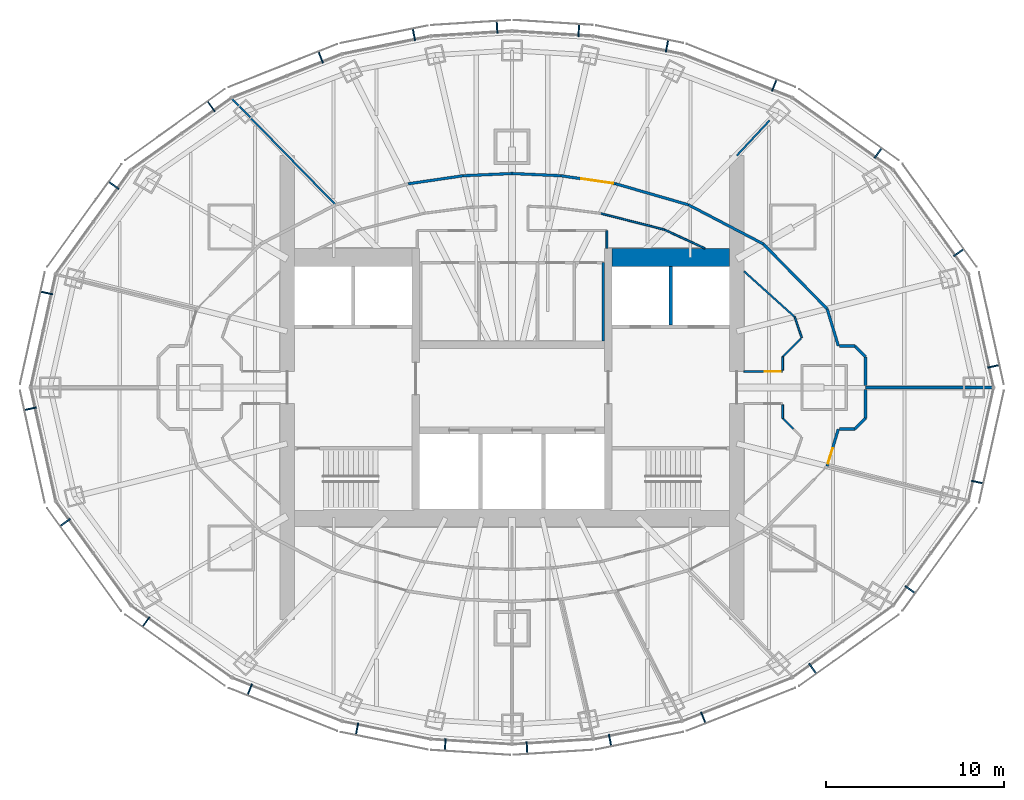
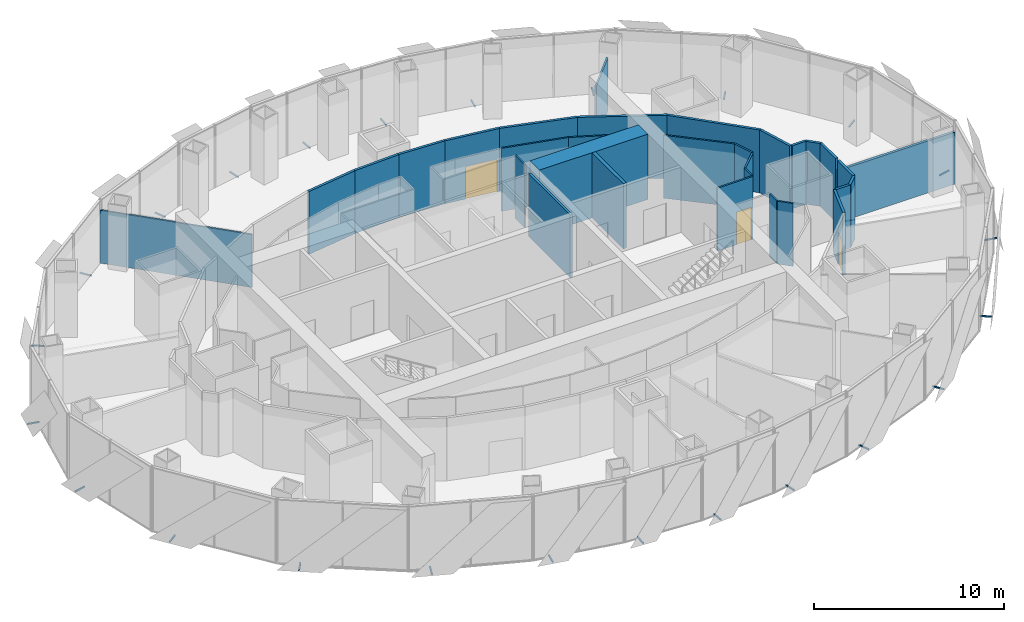
# One storey, part 14 of 17: 31 walls, 24 discrete accessories, 3 doors, 3 openings.
"""IFC4 building model written with IfcOpenShell, lengths in metres."""

from ifc_helpers import new_model, si_unit, direction, frame, frame_2d, origin, origin_2d, place, context, subcontext, project, spatial, rectangle, extrude, material, layer, layer_set, type_object, element, fill, save


model = new_model("IFC4")

# Units and contexts
model_context = context("Model", 3, precision=1e-05, world=origin(), true_north=direction((0.0, 1.0)))
body_context = subcontext(model_context, "Body", "Model", "MODEL_VIEW")
ifc_project = project(units=[si_unit("LENGTHUNIT", "METRE"), si_unit("AREAUNIT", "SQUARE_METRE"), si_unit("VOLUMEUNIT", "CUBIC_METRE"), si_unit("PLANEANGLEUNIT", "RADIAN"), si_unit("MASSUNIT", "GRAM", prefix="KILO")], contexts=[model_context])

# Site, building, storey
site_placement = place(None, origin())
site = spatial("IfcSite", under=ifc_project, at=site_placement, CompositionType="ELEMENT")
building_placement = place(site_placement, origin())
building = spatial("IfcBuilding", under=site, at=building_placement, Name="Lantaw Convention Tower", CompositionType="ELEMENT")
storey_placement = place(building_placement, frame((0.0, 0.0, 224.199951171875)))
storey = spatial("IfcBuildingStorey", under=building, at=storey_placement, Name="L52", CompositionType="ELEMENT", Elevation=224.199951171875)

# Walls
ifc_material_1 = material(Name="Concrete C60/75", Category="concrete")
ifc_layer_1 = layer(ifc_material_1, 1.0)
ifc_layer_set_1 = layer_set([ifc_layer_1], Name="Core wall 1000")
wall_type_1 = type_object("IfcWallType", Name="Core wall 1000", PredefinedType="SHEAR", material=ifc_layer_set_1)
wall_1_placement = place(storey_placement, frame((12.199951171875, 7.300048828125, 0.0), z_axis=(0.0, 0.0, 1.0), x_axis=(-1.0, 0.0, 0.0)))
element("IfcWall", 1, at=wall_1_placement, inside=storey, type_object=wall_type_1, Name="Core wall NE", PredefinedType="SHEAR", context=body_context, shape_type="SweptSolid", body=[
    extrude(rectangle(XDim=6.599853515625, YDim=1.0, at=frame_2d((3.2998046875, 0.0))), origin(), (0.0, 0.0, 1.0), 4.199951171875),
])
ifc_material_2 = material(Name="Gypsum board on steel studs, fire rated", Category="steel")
ifc_layer_2 = layer(ifc_material_2, 0.14990234375)
ifc_layer_set_2 = layer_set([ifc_layer_2], Name="Corridor wall 150 EI 60")
wall_type_2 = type_object("IfcWallType", Name="Corridor wall 150 EI 60", PredefinedType="PARTITIONING", material=ifc_layer_set_2)
wall_2_placement = place(storey_placement, frame((17.6728515625, 4.40625, 0.0), z_axis=(0.0, 0.0, 1.0), x_axis=(-0.701111216625, 0.713051934941, 0.0)))
element("IfcWall", 2, at=wall_2_placement, inside=storey, type_object=wall_type_2, Name="Corridor wall 150", PredefinedType="PARTITIONING", context=body_context, shape_type="SweptSolid", body=[
    extrude(rectangle(XDim=5.111572265625, YDim=0.14990234375, at=frame_2d((2.5556640625, 0.0))), origin(), (0.0, 0.0, 1.0), 4.050048828125),
])
wall_3_placement = place(storey_placement, frame((14.089111328125, 8.051025390625, 0.0), z_axis=(0.0, 0.0, 1.0), x_axis=(-0.886174439647, 0.463351769735, 0.0)))
element("IfcWall", 3, at=wall_3_placement, inside=storey, type_object=wall_type_2, Name="Corridor wall 150", PredefinedType="PARTITIONING", context=body_context, shape_type="SweptSolid", body=[
    extrude(rectangle(XDim=4.734619140625, YDim=0.14990234375, at=frame_2d((2.3671875, 0.0))), origin(), (0.0, 0.0, 1.0), 4.050048828125),
])
wall_4_placement = place(storey_placement, frame((9.893310546875, 10.244873046875, 0.0), z_axis=(0.0, 0.0, 1.0), x_axis=(-0.960614838378, 0.27788330696, 0.0)))
element("IfcWall", 4, at=wall_4_placement, inside=storey, type_object=wall_type_2, Name="Corridor wall 150", PredefinedType="PARTITIONING", context=body_context, shape_type="SweptSolid", body=[
    extrude(rectangle(XDim=4.239990234375, YDim=0.14990234375, at=frame_2d((2.1201171875, 0.0))), origin(), (0.0, 0.0, 1.0), 4.050048828125),
])

# Wall, opening, door
wall_5_placement = place(storey_placement, frame((5.8203125, 11.423095703125, 0.0), z_axis=(0.0, 0.0, 1.0), x_axis=(-0.989421822189, 0.145067080265, 0.0)))
wall_5 = element("IfcWall", 5, at=wall_5_placement, inside=storey, type_object=wall_type_2, Name="Corridor wall 150", PredefinedType="PARTITIONING", context=body_context, shape_type="SweptSolid", body=[
    extrude(rectangle(XDim=3.11181640625, YDim=0.14990234375, at=frame_2d((1.555908203125, 0.0))), origin(), (0.0, 0.0, 1.0), 4.050048828125),
])
opening_1_placement = place(wall_5_placement, frame((0.14990234375, 0.0, 0.0)))
opening_1 = element("IfcOpeningElement", 6, at=opening_1_placement, cuts=wall_5, Name="Opening L52.26", PredefinedType="OPENING", context=body_context, shape_type="SweptSolid", body=[
    extrude(rectangle(XDim=1.800048828125, YDim=2.10009765625, at=frame_2d((0.89990234375, 1.050048828125))), frame((0.0, 0.0849609375, 0.0), z_axis=(0.0, -1.0, 0.0), x_axis=(1.0, 0.0, 0.0)), (0.0, 0.0, 1.0), 0.169921875),
])
ifc_material_3 = material(Name="Steel, fire rated", Category="steel")
door_type_1 = type_object("IfcDoorType", Name="Office double door 1800 FD30", OperationType="DOUBLE_DOOR_DOUBLE_SWING", PredefinedType="DOOR", material=ifc_material_3)
door_1_placement = place(opening_1_placement, origin())
door_1 = element("IfcDoor", 7, at=door_1_placement, inside=storey, type_object=door_type_1, Name="Open office door", OperationType="DOUBLE_DOOR_DOUBLE_SWING", OverallHeight=2.10009765625, OverallWidth=1.800048828125, PredefinedType="DOOR", context=body_context, shape_type="SweptSolid", body=[
    extrude(rectangle(XDim=1.800048828125, YDim=2.10009765625, at=frame_2d((0.89990234375, 1.050048828125))), frame((0.0, 0.02490234375, 0.0), z_axis=(0.0, -1.0, 0.0), x_axis=(1.0, 0.0, 0.0)), (0.0, 0.0, 1.0), 0.050048828125),
])
fill(opening_1, door_1)

# Walls
for number, where, z_axis, x_axis, name in (
    (8, (2.741455078125, 11.87451171875, 0.0), (0.0, 0.0, 1.0), (-0.998953998629, 0.045726454297, 0.0), "Corridor wall 150"),
    (9, (0.0, 12.0, 0.0), (0.0, 0.0, 1.0), (-0.998953998629, -0.045726454297, 0.0), "Corridor wall 150"),
):
    element("IfcWall", number, at=place(storey_placement, frame(where, z_axis=z_axis, x_axis=x_axis)), inside=storey, type_object=wall_type_2, Name=name, PredefinedType="PARTITIONING", context=body_context, shape_type="SweptSolid", body=[
        extrude(rectangle(XDim=2.744384765625, YDim=0.14990234375, at=frame_2d((1.3720703125, 0.0))), origin(), (0.0, 0.0, 1.0), 4.050048828125),
    ])
wall_6_placement = place(storey_placement, frame((-2.741455078125, 11.87451171875, 0.0), z_axis=(0.0, 0.0, 1.0), x_axis=(-0.989421822189, -0.145067080265, 0.0)))
element("IfcWall", 10, at=wall_6_placement, inside=storey, type_object=wall_type_2, Name="Corridor wall 150", PredefinedType="PARTITIONING", context=body_context, shape_type="SweptSolid", body=[
    extrude(rectangle(XDim=3.11181640625, YDim=0.14990234375, at=frame_2d((1.555908203125, 0.0))), origin(), (0.0, 0.0, 1.0), 4.050048828125),
])
wall_7_placement = place(storey_placement, frame((18.296630859375, 2.3349609375, 0.0), z_axis=(0.0, 0.0, 1.0), x_axis=(-0.288362447016, 0.957521330912, 0.0)))
element("IfcWall", 11, at=wall_7_placement, inside=storey, type_object=wall_type_2, Name="Corridor wall 150", PredefinedType="PARTITIONING", context=body_context, shape_type="SweptSolid", body=[
    extrude(rectangle(XDim=2.1630859375, YDim=0.14990234375, at=frame_2d((1.08154296875, 0.0))), origin(), (0.0, 0.0, 1.0), 4.050048828125),
])

# Wall, opening, door
wall_8_placement = place(storey_placement, frame((17.6728515625, -4.40625, 0.0), z_axis=(0.0, 0.0, 1.0), x_axis=(0.288362447016, 0.957521330912, 0.0)))
wall_8 = element("IfcWall", 12, at=wall_8_placement, inside=storey, type_object=wall_type_2, Name="Corridor wall 150", PredefinedType="PARTITIONING", context=body_context, shape_type="SweptSolid", body=[
    extrude(rectangle(XDim=2.1630859375, YDim=0.14990234375, at=frame_2d((1.08154296875, 0.0))), origin(), (0.0, 0.0, 1.0), 4.050048828125),
])
opening_2_placement = place(wall_8_placement, frame((0.14990234375, 0.0, 0.0)))
opening_2 = element("IfcOpeningElement", 13, at=opening_2_placement, cuts=wall_8, Name="Opening L52.35", PredefinedType="OPENING", context=body_context, shape_type="SweptSolid", body=[
    extrude(rectangle(XDim=0.89990234375, YDim=2.10009765625, at=frame_2d((0.449951171875, 1.050048828125))), frame((0.0, 0.0849609375, 0.0), z_axis=(0.0, -1.0, 0.0), x_axis=(1.0, 0.0, 0.0)), (0.0, 0.0, 1.0), 0.169921875),
])
door_type_2 = type_object("IfcDoorType", Name="Office door 900 FD30", OperationType="SINGLE_SWING_LEFT", PredefinedType="DOOR", material=ifc_material_3)
door_2_placement = place(opening_2_placement, origin())
door_2 = element("IfcDoor", 14, at=door_2_placement, inside=storey, type_object=door_type_2, Name="Pantry door", OperationType="SINGLE_SWING_LEFT", OverallHeight=2.10009765625, OverallWidth=0.89990234375, PredefinedType="DOOR", context=body_context, shape_type="SweptSolid", body=[
    extrude(rectangle(XDim=0.89990234375, YDim=2.10009765625, at=frame_2d((0.449951171875, 1.050048828125))), frame((0.0, 0.02490234375, 0.0), z_axis=(0.0, -1.0, 0.0), x_axis=(1.0, 0.0, 0.0)), (0.0, 0.0, 1.0), 0.050048828125),
])
fill(opening_2, door_2)

# Walls
wall_9_placement = place(storey_placement, frame((18.367431640625, 2.324951171875, 0.0), z_axis=(0.0, 0.0, 1.0), x_axis=(1.0, 0.0, 0.0)))
element("IfcWall", 15, at=wall_9_placement, inside=storey, type_object=wall_type_2, Name="Corridor wall 150", PredefinedType="PARTITIONING", context=body_context, shape_type="SweptSolid", body=[
    extrude(rectangle(XDim=0.857177734375, YDim=0.14990234375, at=frame_2d((0.4287109375, 0.0))), origin(), (0.0, 0.0, 1.0), 4.050048828125),
])
wall_10_placement = place(storey_placement, frame((19.224609375, 2.324951171875, 0.0), z_axis=(0.0, 0.0, 1.0), x_axis=(0.707106781187, -0.707106781187, 0.0)))
element("IfcWall", 16, at=wall_10_placement, inside=storey, type_object=wall_type_2, Name="Corridor wall 150", PredefinedType="PARTITIONING", context=body_context, shape_type="SweptSolid", body=[
    extrude(rectangle(XDim=0.84912109375, YDim=0.14990234375, at=frame_2d((0.424560546875, 0.0))), origin(), (0.0, 0.0, 1.0), 4.050048828125),
])
for number, where, z_axis, x_axis, name in (
    (17, (19.824951171875, 1.724609375, 0.0), (0.0, 0.0, 1.0), (0.0, -1.0, 0.0), "Corridor wall 150"),
    (18, (19.824951171875, -0.103271484375, 0.0), (0.0, 0.0, 1.0), (0.0, -1.0, 0.0), "Corridor wall 150"),
):
    element("IfcWall", number, at=place(storey_placement, frame(where, z_axis=z_axis, x_axis=x_axis)), inside=storey, type_object=wall_type_2, Name=name, PredefinedType="PARTITIONING", context=body_context, shape_type="SweptSolid", body=[
        extrude(rectangle(XDim=1.621337890625, YDim=0.14990234375, at=frame_2d((0.810546875, 0.0))), origin(), (0.0, 0.0, 1.0), 4.050048828125),
    ])
wall_11_placement = place(storey_placement, frame((19.824951171875, -1.724609375, 0.0), z_axis=(0.0, 0.0, 1.0), x_axis=(-0.707106781187, -0.707106781187, 0.0)))
element("IfcWall", 19, at=wall_11_placement, inside=storey, type_object=wall_type_2, Name="Corridor wall 150", PredefinedType="PARTITIONING", context=body_context, shape_type="SweptSolid", body=[
    extrude(rectangle(XDim=0.84912109375, YDim=0.14990234375, at=frame_2d((0.424560546875, 0.0))), origin(), (0.0, 0.0, 1.0), 4.050048828125),
])
wall_12_placement = place(storey_placement, frame((19.224609375, -2.324951171875, 0.0), z_axis=(0.0, 0.0, 1.0), x_axis=(-1.0, 0.0, 0.0)))
element("IfcWall", 20, at=wall_12_placement, inside=storey, type_object=wall_type_2, Name="Corridor wall 150", PredefinedType="PARTITIONING", context=body_context, shape_type="SweptSolid", body=[
    extrude(rectangle(XDim=0.857177734375, YDim=0.14990234375, at=frame_2d((0.4287109375, 0.0))), origin(), (0.0, 0.0, 1.0), 4.050048828125),
])
ifc_material_4 = material(Name="Gypsum board on steel studs, acoustic", Category="steel")
ifc_layer_3 = layer(ifc_material_4, 0.10009765625)
ifc_layer_set_3 = layer_set([ifc_layer_3], Name="Office partition 100")
wall_type_3 = type_object("IfcWallType", Name="Office partition 100", PredefinedType="PARTITIONING", material=ifc_layer_set_3)
wall_13_placement = place(storey_placement, frame((-15.709228515625, 16.198974609375, 0.0), z_axis=(0.0, 0.0, 1.0), x_axis=(0.69875697861, -0.715359129978, 0.0)))
element("IfcWall", 21, at=wall_13_placement, inside=storey, type_object=wall_type_3, Name="Office partition 100", PredefinedType="PARTITIONING", context=body_context, shape_type="SweptSolid", body=[
    extrude(rectangle(XDim=8.3232421875, YDim=0.10009765625, at=frame_2d((4.16162109375, 0.0))), origin(), (0.0, 0.0, 1.0), 3.409912109375),
])
wall_14_placement = place(storey_placement, frame((13.0, 6.5244140625, 0.0), z_axis=(0.0, 0.0, 1.0), x_axis=(0.743177243228, -0.669094601046, 0.0)))
element("IfcWall", 22, at=wall_14_placement, inside=storey, type_object=wall_type_3, Name="Office partition 100", PredefinedType="PARTITIONING", context=body_context, shape_type="SweptSolid", body=[
    extrude(rectangle(XDim=3.842529296875, YDim=0.10009765625, at=frame_2d((1.92138671875, 0.0))), origin(), (0.0, 0.0, 1.0), 4.050048828125),
])
wall_15_placement = place(storey_placement, frame((5.320068359375, 7.800048828125, 0.0), z_axis=(0.0, 0.0, 1.0), x_axis=(0.0, 1.0, 0.0)))
element("IfcWall", 23, at=wall_15_placement, inside=storey, type_object=wall_type_3, Name="Office partition 100", PredefinedType="PARTITIONING", context=body_context, shape_type="SweptSolid", body=[
    extrude(rectangle(XDim=1.0, YDim=0.10009765625, at=frame_2d((0.5, 0.0))), origin(), (0.0, 0.0, 1.0), 4.050048828125),
])
wall_16_placement = place(storey_placement, frame((4.97509765625, 9.763916015625, 0.0), z_axis=(0.0, 0.0, 1.0), x_axis=(0.968887312542, -0.247502273921, 0.0)))
element("IfcWall", 24, at=wall_16_placement, inside=storey, type_object=wall_type_3, Name="Office partition 100", PredefinedType="PARTITIONING", context=body_context, shape_type="SweptSolid", body=[
    extrude(rectangle(XDim=3.687255859375, YDim=0.10009765625, at=frame_2d((1.84375, 0.0))), origin(), (0.0, 0.0, 1.0), 4.050048828125),
])
wall_17_placement = place(storey_placement, frame((8.547607421875, 8.851318359375, 0.0), z_axis=(0.0, 0.0, 1.0), x_axis=(0.907759689292, -0.419490579748, 0.0)))
element("IfcWall", 25, at=wall_17_placement, inside=storey, type_object=wall_type_3, Name="Office partition 100", PredefinedType="PARTITIONING", context=body_context, shape_type="SweptSolid", body=[
    extrude(rectangle(XDim=2.506103515625, YDim=0.10009765625, at=frame_2d((1.2529296875, 0.0))), origin(), (0.0, 0.0, 1.0), 4.050048828125),
])
wall_18_placement = place(storey_placement, frame((12.60009765625, 13.0, 0.0), z_axis=(0.0, 0.0, 1.0), x_axis=(0.682434118301, 0.730947107648, 0.0)))
element("IfcWall", 26, at=wall_18_placement, inside=storey, type_object=wall_type_3, Name="Office partition 100", PredefinedType="PARTITIONING", context=body_context, shape_type="SweptSolid", body=[
    extrude(rectangle(XDim=2.702392578125, YDim=0.10009765625, at=frame_2d((1.35107421875, 0.0))), origin(), (0.0, 0.0, 1.0), 3.409912109375),
])
wall_19_placement = place(storey_placement, frame((15.855712890625, 3.953369140625, 0.0), z_axis=(0.0, 0.0, 1.0), x_axis=(0.321913473529, -0.946769093053, 0.0)))
element("IfcWall", 27, at=wall_19_placement, inside=storey, type_object=wall_type_3, Name="Office partition 100", PredefinedType="PARTITIONING", context=body_context, shape_type="SweptSolid", body=[
    extrude(rectangle(XDim=1.22265625, YDim=0.10009765625, at=frame_2d((0.611328125, 0.0))), origin(), (0.0, 0.0, 1.0), 4.050048828125),
])

# Wall, opening, door
wall_20_placement = place(storey_placement, frame((15.1650390625, 0.89990234375, 0.0), z_axis=(0.0, 0.0, 1.0), x_axis=(-1.0, 0.0, 0.0)))
wall_20 = element("IfcWall", 28, at=wall_20_placement, inside=storey, type_object=wall_type_3, Name="Office partition 100", PredefinedType="PARTITIONING", context=body_context, shape_type="SweptSolid", body=[
    extrude(rectangle(XDim=2.1650390625, YDim=0.10009765625, at=frame_2d((1.08251953125, 0.0))), origin(), (0.0, 0.0, 1.0), 4.050048828125),
])
opening_3_placement = place(wall_20_placement, frame((0.10009765625, 0.0, 0.0)))
opening_3 = element("IfcOpeningElement", 29, at=opening_3_placement, cuts=wall_20, Name="Opening L52.22", PredefinedType="OPENING", context=body_context, shape_type="SweptSolid", body=[
    extrude(rectangle(XDim=0.89990234375, YDim=2.10009765625, at=frame_2d((0.449951171875, 1.050048828125))), frame((0.0, 0.06005859375, 0.0), z_axis=(0.0, -1.0, 0.0), x_axis=(1.0, 0.0, 0.0)), (0.0, 0.0, 1.0), 0.1201171875),
])
ifc_material_5 = material(Name="Timber", Category="wood")
door_type_3 = type_object("IfcDoorType", Name="Office door 900", OperationType="SINGLE_SWING_LEFT", PredefinedType="DOOR", material=ifc_material_5)
door_3_placement = place(opening_3_placement, origin())
door_3 = element("IfcDoor", 30, at=door_3_placement, inside=storey, type_object=door_type_3, Name="Copy and print room door", OperationType="SINGLE_SWING_LEFT", OverallHeight=2.10009765625, OverallWidth=0.89990234375, PredefinedType="DOOR", context=body_context, shape_type="SweptSolid", body=[
    extrude(rectangle(XDim=0.89990234375, YDim=2.10009765625, at=frame_2d((0.449951171875, 1.050048828125))), frame((0.0, 0.02490234375, 0.0), z_axis=(0.0, -1.0, 0.0), x_axis=(1.0, 0.0, 0.0)), (0.0, 0.0, 1.0), 0.050048828125),
])
fill(opening_3, door_3)

# Walls
wall_21_placement = place(storey_placement, frame((15.775390625, -2.324951171875, 0.0), z_axis=(0.0, 0.0, 1.0), x_axis=(-0.707106781187, 0.707106781187, 0.0)))
element("IfcWall", 31, at=wall_21_placement, inside=storey, type_object=wall_type_3, Name="Office partition 100", PredefinedType="PARTITIONING", context=body_context, shape_type="SweptSolid", body=[
    extrude(rectangle(XDim=0.84912109375, YDim=0.10009765625, at=frame_2d((0.424560546875, 0.0))), origin(), (0.0, 0.0, 1.0), 4.050048828125),
])
for number, where, z_axis, x_axis, name in (
    (32, (15.175048828125, -1.724609375, 0.0), (0.0, 0.0, 1.0), (0.0, 1.0, 0.0), "Office partition 100"),
    (33, (15.175048828125, 0.978271484375, 0.0), (0.0, 0.0, 1.0), (0.0, 1.0, 0.0), "Office partition 100"),
):
    element("IfcWall", number, at=place(storey_placement, frame(where, z_axis=z_axis, x_axis=x_axis)), inside=storey, type_object=wall_type_3, Name=name, PredefinedType="PARTITIONING", context=body_context, shape_type="SweptSolid", body=[
        extrude(rectangle(XDim=0.746337890625, YDim=0.10009765625, at=frame_2d((0.373046875, 0.0))), origin(), (0.0, 0.0, 1.0), 4.050048828125),
    ])
wall_22_placement = place(storey_placement, frame((15.175048828125, 1.724609375, 0.0), z_axis=(0.0, 0.0, 1.0), x_axis=(0.712897698193, 0.701268045694, 0.0)))
element("IfcWall", 34, at=wall_22_placement, inside=storey, type_object=wall_type_3, Name="Office partition 100", PredefinedType="PARTITIONING", context=body_context, shape_type="SweptSolid", body=[
    extrude(rectangle(XDim=1.469482421875, YDim=0.10009765625, at=frame_2d((0.73486328125, 0.0))), origin(), (0.0, 0.0, 1.0), 4.050048828125),
])
ifc_material_6 = material(Name="Concrete blockwork, fire rated", Category="masonry")
ifc_layer_4 = layer(ifc_material_6, 0.199951171875)
ifc_layer_set_4 = layer_set([ifc_layer_4], Name="Shaft wall 200")
wall_type_4 = type_object("IfcWallType", Name="Shaft wall 200", PredefinedType="SOLIDWALL", material=ifc_layer_set_4)
wall_23_placement = place(storey_placement, frame((8.89990234375, 3.5, 0.0), z_axis=(0.0, 0.0, 1.0), x_axis=(0.0, 1.0, 0.0)))
element("IfcWall", 35, at=wall_23_placement, inside=storey, type_object=wall_type_4, Name="Shaft wall ED", PredefinedType="SOLIDWALL", context=body_context, shape_type="SweptSolid", body=[
    extrude(rectangle(XDim=3.300048828125, YDim=0.199951171875, at=frame_2d((1.64990234375, 0.0))), origin(), (0.0, 0.0, 1.0), 4.199951171875),
])
ifc_layer_5 = layer(ifc_material_2, 0.14990234375)
ifc_layer_set_5 = layer_set([ifc_layer_5], Name="Tenant separation wall 150 EI 60")
wall_type_5 = type_object("IfcWallType", Name="Tenant separation wall 150 EI 60", PredefinedType="PARTITIONING", material=ifc_layer_set_5)
wall_24_placement = place(storey_placement, frame((26.944091796875, 0.0, 0.0), z_axis=(0.0, 0.0, 1.0), x_axis=(-1.0, 0.0, 0.0)))
element("IfcWall", 36, at=wall_24_placement, inside=storey, type_object=wall_type_5, Name="Tenant separation wall 150", PredefinedType="PARTITIONING", context=body_context, shape_type="SweptSolid", body=[
    extrude(rectangle(XDim=7.109130859375, YDim=0.14990234375, at=frame_2d((3.5546875, 0.0))), origin(), (0.0, 0.0, 1.0), 3.34912109375),
])
ifc_material_7 = material(Name="Concrete blockwork", Category="masonry")
ifc_layer_6 = layer(ifc_material_7, 0.14990234375)
ifc_layer_set_6 = layer_set([ifc_layer_6], Name="WC wall 150")
wall_type_6 = type_object("IfcWallType", Name="WC wall 150", PredefinedType="SOLIDWALL", material=ifc_layer_set_6)
wall_25_placement = place(storey_placement, frame((5.1201171875, 2.60009765625, 0.0), z_axis=(0.0, 0.0, 1.0), x_axis=(0.0, 1.0, 0.0)))
element("IfcWall", 37, at=wall_25_placement, inside=storey, type_object=wall_type_6, Name="WC wall 150", PredefinedType="SOLIDWALL", context=body_context, shape_type="SweptSolid", body=[
    extrude(rectangle(XDim=4.39990234375, YDim=0.14990234375, at=frame_2d((2.199951171875, 0.0))), origin(), (0.0, 0.0, 1.0), 4.050048828125),
])

# Discrete accessories
for number, where, z_axis, x_axis, name in (
    (38, (27.002197265625, 1.189453125, -0.114990234375), (0.0, 0.0, 1.0), (-0.215891333626, 0.976417396437, 0.0), "Screen bracket"),
    (39, (25.05419921875, 7.564453125, -0.114990234375), (0.0, 0.0, 1.0), (-0.585157643865, 0.810919559405, 0.0), "Screen bracket"),
    (40, (20.524169921875, 13.14453125, -0.114990234375), (0.0, 0.0, 1.0), (-0.813672540482, 0.581323487281, 0.0), "Screen bracket"),
    (41, (14.707763671875, 16.94140625, -0.114990234375), (0.0, 0.0, 1.0), (-0.929761533743, 0.368162315252, 0.0), "Screen bracket"),
    (42, (8.68896484375, 19.145751953125, -0.114990234375), (0.0, 0.0, 1.0), (-0.980366679695, 0.197183095987, 0.0), "Screen bracket"),
    (43, (3.743896484375, 20.024169921875, -0.114990234375), (0.0, 0.0, 1.0), (-0.998028774865, 0.062757983884, 0.0), "Screen bracket"),
    (44, (-0.83984375, 20.206787109375, -0.114990234375), (0.0, 0.0, 1.0), (-0.998028774865, -0.062757983884, 0.0), "Screen bracket"),
    (45, (-5.49853515625, 19.78759765625, -0.114990234375), (0.0, 0.0, 1.0), (-0.980366679695, -0.197183095987, 0.0), "Screen bracket"),
    (46, (-10.7255859375, 18.518310546875, -0.114990234375), (0.0, 0.0, 1.0), (-0.929761533743, -0.368162315252, 0.0), "Screen bracket"),
    (47, (-16.863525390625, 15.759765625, -0.114990234375), (0.0, 0.0, 1.0), (-0.813672540482, -0.581323487281, 0.0), "Screen bracket"),
    (48, (-22.333251953125, 11.3349609375, -0.114990234375), (0.0, 0.0, 1.0), (-0.585157643865, -0.810919559405, 0.0), "Screen bracket"),
    (49, (-26.0927734375, 5.302490234375, -0.114990234375), (0.0, 0.0, 1.0), (-0.215891333626, -0.976417396437, 0.0), "Screen bracket"),
    (50, (-27.002197265625, -1.189453125, -0.114990234375), (0.0, 0.0, 1.0), (0.215891333626, -0.976417396437, 0.0), "Screen bracket"),
    (51, (-25.05419921875, -7.564453125, -0.114990234375), (0.0, 0.0, 1.0), (0.585157643865, -0.810919559405, 0.0), "Screen bracket"),
    (52, (-20.524169921875, -13.14453125, -0.114990234375), (0.0, 0.0, 1.0), (0.813672540482, -0.581323487281, 0.0), "Screen bracket"),
    (53, (-14.707763671875, -16.94140625, -0.114990234375), (0.0, 0.0, 1.0), (0.929761533743, -0.368162315252, 0.0), "Screen bracket"),
    (54, (-8.68896484375, -19.145751953125, -0.114990234375), (0.0, 0.0, 1.0), (0.980366679695, -0.197183095987, 0.0), "Screen bracket"),
    (55, (-3.743896484375, -20.024169921875, -0.114990234375), (0.0, 0.0, 1.0), (0.998028774865, -0.062757983884, 0.0), "Screen bracket"),
    (56, (0.83984375, -20.206787109375, -0.114990234375), (0.0, 0.0, 1.0), (0.998028774865, 0.062757983884, 0.0), "Screen bracket"),
    (57, (5.49853515625, -19.78759765625, -0.114990234375), (0.0, 0.0, 1.0), (0.980366679695, 0.197183095987, 0.0), "Screen bracket"),
    (58, (10.7255859375, -18.518310546875, -0.114990234375), (0.0, 0.0, 1.0), (0.929761533743, 0.368162315252, 0.0), "Screen bracket"),
    (59, (16.863525390625, -15.759765625, -0.114990234375), (0.0, 0.0, 1.0), (0.813672540482, 0.581323487281, 0.0), "Screen bracket"),
    (60, (22.333251953125, -11.3349609375, -0.114990234375), (0.0, 0.0, 1.0), (0.585157643865, 0.810919559405, 0.0), "Screen bracket"),
    (61, (26.0927734375, -5.302490234375, -0.114990234375), (0.0, 0.0, 1.0), (0.215891333626, 0.976417396437, 0.0), "Screen bracket"),
):
    element("IfcDiscreteAccessory", number, at=place(storey_placement, frame(where, z_axis=z_axis, x_axis=x_axis)), inside=storey, Name=name, PredefinedType="BRACKET", context=body_context, shape_type="SweptSolid", body=[
        extrude(rectangle(XDim=0.080078125, YDim=0.68798828125, at=origin_2d()), origin(), (0.0, 0.0, 1.0), 0.080078125),
    ])

save(model, "model.ifc")
